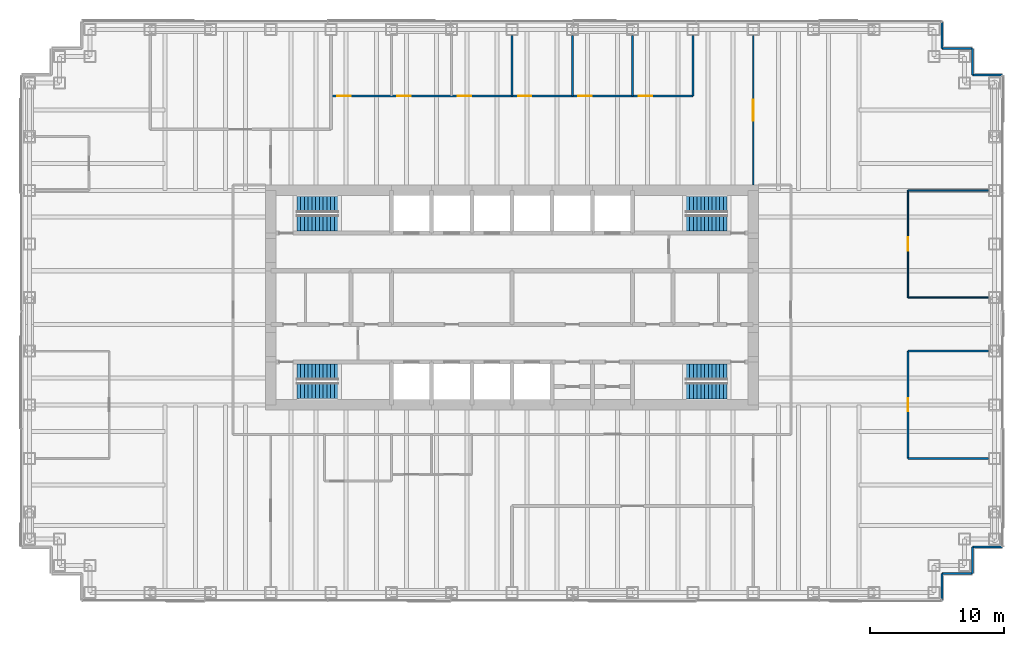
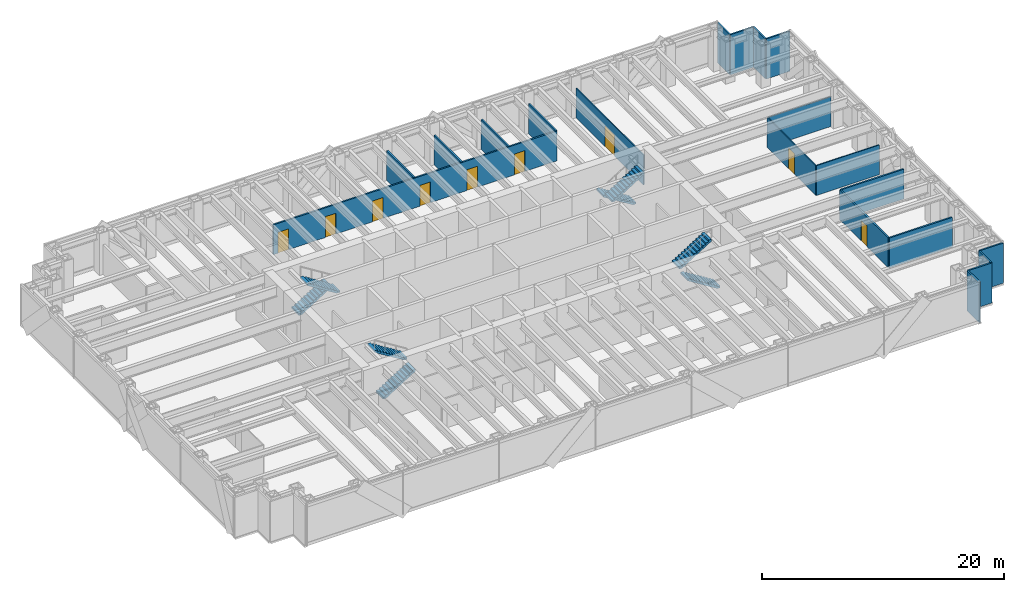
# One storey, part 14 of 15: 20 walls, 9 doors, 8 stair flights, 9 openings, 4 elements without a shape of their own.
"""IFC4 building model written with IfcOpenShell, lengths in metres."""

from ifc_helpers import new_model, si_unit, direction, frame, frame_2d, origin, place, context, subcontext, project, spatial, polyline, rectangle, outline, extrude, material, layer, layer_set, type_object, element, fill, aggregate, save


model = new_model("IFC4")

# Units and contexts
model_context = context("Model", 3, precision=1e-05, world=origin(), true_north=direction((0.0, 1.0)))
body_context = subcontext(model_context, "Body", "Model", "MODEL_VIEW")
ifc_project = project(units=[si_unit("LENGTHUNIT", "METRE"), si_unit("AREAUNIT", "SQUARE_METRE"), si_unit("VOLUMEUNIT", "CUBIC_METRE"), si_unit("PLANEANGLEUNIT", "RADIAN"), si_unit("MASSUNIT", "GRAM", prefix="KILO")], contexts=[model_context])

# Site, building, storey
site_placement = place(None, origin())
site = spatial("IfcSite", under=ifc_project, at=site_placement, CompositionType="ELEMENT")
building_placement = place(site_placement, origin())
building = spatial("IfcBuilding", under=site, at=building_placement, Name="Rheinbord Bourse Tower", CompositionType="ELEMENT")
storey_placement = place(building_placement, frame((0.0, 0.0, 236.199951171875)))
storey = spatial("IfcBuildingStorey", under=building, at=storey_placement, Name="L53", CompositionType="ELEMENT", Elevation=236.199951171875)

# Walls
ifc_material_1 = material(Name="Black metal rainscreen panel", Category="aluminium")
ifc_layer_1 = layer(ifc_material_1, 0.14990234375)
ifc_layer_set_1 = layer_set([ifc_layer_1], Name="CORNER PIER CLADDING 150")
wall_type_1 = type_object("IfcWallType", Name="CORNER PIER CLADDING 150", PredefinedType="ELEMENTEDWALL", material=ifc_layer_set_1)
wall_1_placement = place(storey_placement, frame((68.10009765625, 1.39990234375, 0.0), z_axis=(0.0, 0.0, 1.0), x_axis=(0.0, 1.0, 0.0)))
element("IfcWall", 1, at=wall_1_placement, inside=storey, type_object=wall_type_1, Name="Corner pier cladding L53 2", PredefinedType="ELEMENTEDWALL", context=body_context, shape_type="SweptSolid", body=[
    extrude(rectangle(XDim=2.0, YDim=0.14990234375, at=frame_2d((1.0, 0.0))), origin(), (0.0, 0.0, 1.0), 4.0400390625),
])
wall_2_placement = place(storey_placement, frame((68.10009765625, 3.39990234375, 0.0), z_axis=(0.0, 0.0, 1.0), x_axis=(1.0, 0.0, 0.0)))
element("IfcWall", 2, at=wall_2_placement, inside=storey, type_object=wall_type_1, Name="Corner pier cladding L53 3", PredefinedType="ELEMENTEDWALL", context=body_context, shape_type="SweptSolid", body=[
    extrude(rectangle(XDim=2.25, YDim=0.14990234375, at=frame_2d((1.125, 0.0))), origin(), (0.0, 0.0, 1.0), 4.0400390625),
])
wall_3_placement = place(storey_placement, frame((70.35009765625, 3.39990234375, 0.0), z_axis=(0.0, 0.0, 1.0), x_axis=(0.0, 1.0, 0.0)))
element("IfcWall", 3, at=wall_3_placement, inside=storey, type_object=wall_type_1, Name="Corner pier cladding L53 4", PredefinedType="ELEMENTEDWALL", context=body_context, shape_type="SweptSolid", body=[
    extrude(rectangle(XDim=2.0, YDim=0.14990234375, at=frame_2d((1.0, 0.0))), origin(), (0.0, 0.0, 1.0), 4.0400390625),
])
for number, where, z_axis, x_axis, name in (
    (4, (70.35009765625, 5.39990234375, 0.0), (0.0, 0.0, 1.0), (1.0, 0.0, 0.0), "Corner pier cladding L53 5"),
    (5, (72.60009765625, 40.60009765625, 0.0), (0.0, 0.0, 1.0), (-1.0, 0.0, 0.0), "Corner pier cladding L53 7"),
):
    element("IfcWall", number, at=place(storey_placement, frame(where, z_axis=z_axis, x_axis=x_axis)), inside=storey, type_object=wall_type_1, Name=name, PredefinedType="ELEMENTEDWALL", context=body_context, shape_type="SweptSolid", body=[
        extrude(rectangle(XDim=2.25, YDim=0.14990234375, at=frame_2d((1.125, 0.0))), origin(), (0.0, 0.0, 1.0), 4.0400390625),
    ])
wall_4_placement = place(storey_placement, frame((70.35009765625, 40.60009765625, 0.0), z_axis=(0.0, 0.0, 1.0), x_axis=(0.0, 1.0, 0.0)))
element("IfcWall", 6, at=wall_4_placement, inside=storey, type_object=wall_type_1, Name="Corner pier cladding L53 8", PredefinedType="ELEMENTEDWALL", context=body_context, shape_type="SweptSolid", body=[
    extrude(rectangle(XDim=2.0, YDim=0.14990234375, at=frame_2d((1.0, 0.0))), origin(), (0.0, 0.0, 1.0), 4.0400390625),
])
wall_5_placement = place(storey_placement, frame((70.35009765625, 42.60009765625, 0.0), z_axis=(0.0, 0.0, 1.0), x_axis=(-1.0, 0.0, 0.0)))
element("IfcWall", 7, at=wall_5_placement, inside=storey, type_object=wall_type_1, Name="Corner pier cladding L53 9", PredefinedType="ELEMENTEDWALL", context=body_context, shape_type="SweptSolid", body=[
    extrude(rectangle(XDim=2.25, YDim=0.14990234375, at=frame_2d((1.125, 0.0))), origin(), (0.0, 0.0, 1.0), 4.0400390625),
])
wall_6_placement = place(storey_placement, frame((68.10009765625, 42.60009765625, 0.0), z_axis=(0.0, 0.0, 1.0), x_axis=(0.0, 1.0, 0.0)))
element("IfcWall", 8, at=wall_6_placement, inside=storey, type_object=wall_type_1, Name="Corner pier cladding L53 10", PredefinedType="ELEMENTEDWALL", context=body_context, shape_type="SweptSolid", body=[
    extrude(rectangle(XDim=2.0, YDim=0.14990234375, at=frame_2d((1.0, 0.0))), origin(), (0.0, 0.0, 1.0), 4.0400390625),
])
ifc_material_2 = material(Name="Toughened laminated glass partition", Category="glass")
ifc_layer_2 = layer(ifc_material_2, 0.10009765625)
ifc_layer_set_2 = layer_set([ifc_layer_2], Name="GLAZED PARTITION 100")
wall_type_2 = type_object("IfcWallType", Name="GLAZED PARTITION 100", PredefinedType="PARTITIONING", material=ifc_layer_set_2)
for number, where, z_axis, x_axis, name in (
    (9, (65.550048828125, 24.0, 0.0), (0.0, 0.0, 1.0), (1.0, 0.0, 0.0), "Partition L53-11"),
    (10, (65.550048828125, 32.0, 0.0), (0.0, 0.0, 1.0), (1.0, 0.0, 0.0), "Partition L53-13"),
):
    element("IfcWall", number, at=place(storey_placement, frame(where, z_axis=z_axis, x_axis=x_axis)), inside=storey, type_object=wall_type_2, Name=name, PredefinedType="PARTITIONING", context=body_context, shape_type="SweptSolid", body=[
        extrude(rectangle(XDim=6.0, YDim=0.10009765625, at=frame_2d((3.0, 0.0))), origin(), (0.0, 0.0, 1.0), 3.0),
    ])

# Wall, opening, door
wall_7_placement = place(storey_placement, frame((54.0, 32.39990234375, 0.0), z_axis=(0.0, 0.0, 1.0), x_axis=(0.0, 1.0, 0.0)))
wall_7 = element("IfcWall", 11, at=wall_7_placement, inside=storey, type_object=wall_type_2, Name="Partition L53-39", PredefinedType="PARTITIONING", context=body_context, shape_type="SweptSolid", body=[
    extrude(rectangle(XDim=11.150146484375, YDim=0.10009765625, at=frame_2d((5.5751953125, 0.0))), origin(), (0.0, 0.0, 1.0), 3.0),
])
opening_1_placement = place(wall_7_placement, frame((4.77490234375, 0.0, 0.0)))
opening_1 = element("IfcOpeningElement", 12, at=opening_1_placement, cuts=wall_7, Name="Opening 53D19", PredefinedType="OPENING", context=body_context, shape_type="SweptSolid", body=[
    extrude(rectangle(XDim=1.60009765625, YDim=2.10009765625, at=frame_2d((0.800048828125, 1.050048828125))), frame((0.0, 0.06005859375, 0.0), z_axis=(0.0, -1.0, 0.0), x_axis=(1.0, 0.0, 0.0)), (0.0, 0.0, 1.0), 0.1201171875),
])
ifc_material_3 = material(Name="Timber door", Category="wood")
door_type_1 = type_object("IfcDoorType", Name="DOUBLE ROOM DOOR 1600", OperationType="DOUBLE_DOOR_DOUBLE_SWING", PredefinedType="DOOR", material=ifc_material_3)
door_1_placement = place(opening_1_placement, origin())
door_1 = element("IfcDoor", 13, at=door_1_placement, inside=storey, type_object=door_type_1, Name="Open area door L53", OperationType="SINGLE_SWING_LEFT", OverallHeight=2.10009765625, OverallWidth=1.60009765625, PredefinedType="DOOR", context=body_context, shape_type="SweptSolid", body=[
    extrude(rectangle(XDim=1.60009765625, YDim=2.10009765625, at=frame_2d((0.800048828125, 1.050048828125))), frame((0.0, 0.02490234375, 0.0), z_axis=(0.0, -1.0, 0.0), x_axis=(1.0, 0.0, 0.0)), (0.0, 0.0, 1.0), 0.050048828125),
])
fill(opening_1, door_1)

wall_8_placement = place(storey_placement, frame((65.550048828125, 24.0, 0.0), z_axis=(0.0, 0.0, 1.0), x_axis=(0.0, 1.0, 0.0)))
wall_8 = element("IfcWall", 14, at=wall_8_placement, inside=storey, type_object=wall_type_2, Name="Partition L53-42", PredefinedType="PARTITIONING", context=body_context, shape_type="SweptSolid", body=[
    extrude(rectangle(XDim=8.0, YDim=0.10009765625, at=frame_2d((4.0, 0.0))), origin(), (0.0, 0.0, 1.0), 3.0),
])
opening_2_placement = place(wall_8_placement, frame((3.5, 0.0, 0.0)))
opening_2 = element("IfcOpeningElement", 15, at=opening_2_placement, cuts=wall_8, Name="Opening 53D07", PredefinedType="OPENING", context=body_context, shape_type="SweptSolid", body=[
    extrude(rectangle(XDim=1.0, YDim=2.10009765625, at=frame_2d((0.5, 1.050048828125))), frame((0.0, 0.06005859375, 0.0), z_axis=(0.0, -1.0, 0.0), x_axis=(1.0, 0.0, 0.0)), (0.0, 0.0, 1.0), 0.1201171875),
])
ifc_material_4 = material(Name="Timber door", Category="wood")
door_type_2 = type_object("IfcDoorType", Name="ROOM DOOR 1000", OperationType="SINGLE_SWING_LEFT", PredefinedType="DOOR", material=ifc_material_4)
door_2_placement = place(opening_2_placement, origin())
door_2 = element("IfcDoor", 16, at=door_2_placement, inside=storey, type_object=door_type_2, Name="Meeting room door L53", OperationType="SINGLE_SWING_LEFT", OverallHeight=2.10009765625, OverallWidth=1.0, PredefinedType="DOOR", context=body_context, shape_type="SweptSolid", body=[
    extrude(rectangle(XDim=1.0, YDim=2.10009765625, at=frame_2d((0.5, 1.050048828125))), frame((0.0, 0.02490234375, 0.0), z_axis=(0.0, -1.0, 0.0), x_axis=(1.0, 0.0, 0.0)), (0.0, 0.0, 1.0), 0.050048828125),
])
fill(opening_2, door_2)

# Walls
ifc_material_5 = material(Name="Gypsum board partition", Category="gypsum board")
ifc_layer_3 = layer(ifc_material_5, 0.14990234375)
ifc_layer_set_3 = layer_set([ifc_layer_3], Name="PARTITION 150")
wall_type_3 = type_object("IfcWallType", Name="PARTITION 150", PredefinedType="PARTITIONING", material=ifc_layer_set_3)
for number, where, z_axis, x_axis, name in (
    (17, (65.550048828125, 12.0, 0.0), (0.0, 0.0, 1.0), (1.0, 0.0, 0.0), "Partition L53-05"),
    (18, (65.550048828125, 20.0, 0.0), (0.0, 0.0, 1.0), (1.0, 0.0, 0.0), "Partition L53-10"),
):
    element("IfcWall", number, at=place(storey_placement, frame(where, z_axis=z_axis, x_axis=x_axis)), inside=storey, type_object=wall_type_3, Name=name, PredefinedType="PARTITIONING", context=body_context, shape_type="SweptSolid", body=[
        extrude(rectangle(XDim=6.0, YDim=0.14990234375, at=frame_2d((3.0, 0.0))), origin(), (0.0, 0.0, 1.0), 3.0),
    ])

# Wall, openings, doors
wall_9_placement = place(storey_placement, frame((22.5, 39.050048828125, 0.0), z_axis=(0.0, 0.0, 1.0), x_axis=(1.0, 0.0, 0.0)))
wall_9 = element("IfcWall", 19, at=wall_9_placement, inside=storey, type_object=wall_type_3, Name="Partition L53-18", PredefinedType="PARTITIONING", context=body_context, shape_type="SweptSolid", body=[
    extrude(rectangle(XDim=27.0, YDim=0.14990234375, at=frame_2d((13.5, 0.0))), origin(), (0.0, 0.0, 1.0), 3.0),
])
opening_3_placement = place(wall_9_placement, frame((0.449951171875, 0.0, 0.0)))
opening_3 = element("IfcOpeningElement", 20, at=opening_3_placement, cuts=wall_9, Name="Opening 53D10", PredefinedType="OPENING", context=body_context, shape_type="SweptSolid", body=[
    extrude(rectangle(XDim=1.0, YDim=2.10009765625, at=frame_2d((0.5, 1.050048828125))), frame((0.0, 0.0849609375, 0.0), z_axis=(0.0, -1.0, 0.0), x_axis=(1.0, 0.0, 0.0)), (0.0, 0.0, 1.0), 0.169921875),
])
opening_4_placement = place(wall_9_placement, frame((4.949951171875, 0.0, 0.0)))
opening_4 = element("IfcOpeningElement", 21, at=opening_4_placement, cuts=wall_9, Name="Opening 53D11", PredefinedType="OPENING", context=body_context, shape_type="SweptSolid", body=[
    extrude(rectangle(XDim=1.0, YDim=2.10009765625, at=frame_2d((0.5, 1.050048828125))), frame((0.0, 0.0849609375, 0.0), z_axis=(0.0, -1.0, 0.0), x_axis=(1.0, 0.0, 0.0)), (0.0, 0.0, 1.0), 0.169921875),
])
opening_5_placement = place(wall_9_placement, frame((9.449951171875, 0.0, 0.0)))
opening_5 = element("IfcOpeningElement", 22, at=opening_5_placement, cuts=wall_9, Name="Opening 53D12", PredefinedType="OPENING", context=body_context, shape_type="SweptSolid", body=[
    extrude(rectangle(XDim=1.0, YDim=2.10009765625, at=frame_2d((0.5, 1.050048828125))), frame((0.0, 0.0849609375, 0.0), z_axis=(0.0, -1.0, 0.0), x_axis=(1.0, 0.0, 0.0)), (0.0, 0.0, 1.0), 0.169921875),
])
opening_6_placement = place(wall_9_placement, frame((13.949951171875, 0.0, 0.0)))
opening_6 = element("IfcOpeningElement", 23, at=opening_6_placement, cuts=wall_9, Name="Opening 53D13", PredefinedType="OPENING", context=body_context, shape_type="SweptSolid", body=[
    extrude(rectangle(XDim=1.0, YDim=2.10009765625, at=frame_2d((0.5, 1.050048828125))), frame((0.0, 0.0849609375, 0.0), z_axis=(0.0, -1.0, 0.0), x_axis=(1.0, 0.0, 0.0)), (0.0, 0.0, 1.0), 0.169921875),
])
opening_7_placement = place(wall_9_placement, frame((18.449951171875, 0.0, 0.0)))
opening_7 = element("IfcOpeningElement", 24, at=opening_7_placement, cuts=wall_9, Name="Opening 53D14", PredefinedType="OPENING", context=body_context, shape_type="SweptSolid", body=[
    extrude(rectangle(XDim=1.0, YDim=2.10009765625, at=frame_2d((0.5, 1.050048828125))), frame((0.0, 0.0849609375, 0.0), z_axis=(0.0, -1.0, 0.0), x_axis=(1.0, 0.0, 0.0)), (0.0, 0.0, 1.0), 0.169921875),
])
opening_8_placement = place(wall_9_placement, frame((22.949951171875, 0.0, 0.0)))
opening_8 = element("IfcOpeningElement", 25, at=opening_8_placement, cuts=wall_9, Name="Opening 53D15", PredefinedType="OPENING", context=body_context, shape_type="SweptSolid", body=[
    extrude(rectangle(XDim=1.0, YDim=2.10009765625, at=frame_2d((0.5, 1.050048828125))), frame((0.0, 0.0849609375, 0.0), z_axis=(0.0, -1.0, 0.0), x_axis=(1.0, 0.0, 0.0)), (0.0, 0.0, 1.0), 0.169921875),
])
door_3_placement = place(opening_3_placement, origin())
door_3 = element("IfcDoor", 26, at=door_3_placement, inside=storey, type_object=door_type_2, Name="Office door L53", OperationType="SINGLE_SWING_LEFT", OverallHeight=2.10009765625, OverallWidth=1.0, PredefinedType="DOOR", context=body_context, shape_type="SweptSolid", body=[
    extrude(rectangle(XDim=1.0, YDim=2.10009765625, at=frame_2d((0.5, 1.050048828125))), frame((0.0, 0.02490234375, 0.0), z_axis=(0.0, -1.0, 0.0), x_axis=(1.0, 0.0, 0.0)), (0.0, 0.0, 1.0), 0.050048828125),
])
fill(opening_3, door_3)
door_4_placement = place(opening_4_placement, origin())
door_4 = element("IfcDoor", 27, at=door_4_placement, inside=storey, type_object=door_type_2, Name="Office door L53", OperationType="SINGLE_SWING_LEFT", OverallHeight=2.10009765625, OverallWidth=1.0, PredefinedType="DOOR", context=body_context, shape_type="SweptSolid", body=[
    extrude(rectangle(XDim=1.0, YDim=2.10009765625, at=frame_2d((0.5, 1.050048828125))), frame((0.0, 0.02490234375, 0.0), z_axis=(0.0, -1.0, 0.0), x_axis=(1.0, 0.0, 0.0)), (0.0, 0.0, 1.0), 0.050048828125),
])
fill(opening_4, door_4)
door_5_placement = place(opening_5_placement, origin())
door_5 = element("IfcDoor", 28, at=door_5_placement, inside=storey, type_object=door_type_2, Name="Office door L53", OperationType="SINGLE_SWING_LEFT", OverallHeight=2.10009765625, OverallWidth=1.0, PredefinedType="DOOR", context=body_context, shape_type="SweptSolid", body=[
    extrude(rectangle(XDim=1.0, YDim=2.10009765625, at=frame_2d((0.5, 1.050048828125))), frame((0.0, 0.02490234375, 0.0), z_axis=(0.0, -1.0, 0.0), x_axis=(1.0, 0.0, 0.0)), (0.0, 0.0, 1.0), 0.050048828125),
])
fill(opening_5, door_5)
door_6_placement = place(opening_6_placement, origin())
door_6 = element("IfcDoor", 29, at=door_6_placement, inside=storey, type_object=door_type_2, Name="Office door L53", OperationType="SINGLE_SWING_RIGHT", OverallHeight=2.10009765625, OverallWidth=1.0, PredefinedType="DOOR", context=body_context, shape_type="SweptSolid", body=[
    extrude(rectangle(XDim=1.0, YDim=2.10009765625, at=frame_2d((0.5, 1.050048828125))), frame((0.0, 0.02490234375, 0.0), z_axis=(0.0, -1.0, 0.0), x_axis=(1.0, 0.0, 0.0)), (0.0, 0.0, 1.0), 0.050048828125),
])
fill(opening_6, door_6)
door_7_placement = place(opening_7_placement, origin())
door_7 = element("IfcDoor", 30, at=door_7_placement, inside=storey, type_object=door_type_2, Name="Office door L53", OperationType="SINGLE_SWING_RIGHT", OverallHeight=2.10009765625, OverallWidth=1.0, PredefinedType="DOOR", context=body_context, shape_type="SweptSolid", body=[
    extrude(rectangle(XDim=1.0, YDim=2.10009765625, at=frame_2d((0.5, 1.050048828125))), frame((0.0, 0.02490234375, 0.0), z_axis=(0.0, -1.0, 0.0), x_axis=(1.0, 0.0, 0.0)), (0.0, 0.0, 1.0), 0.050048828125),
])
fill(opening_7, door_7)
door_8_placement = place(opening_8_placement, origin())
door_8 = element("IfcDoor", 31, at=door_8_placement, inside=storey, type_object=door_type_2, Name="Office door L53", OperationType="SINGLE_SWING_RIGHT", OverallHeight=2.10009765625, OverallWidth=1.0, PredefinedType="DOOR", context=body_context, shape_type="SweptSolid", body=[
    extrude(rectangle(XDim=1.0, YDim=2.10009765625, at=frame_2d((0.5, 1.050048828125))), frame((0.0, 0.02490234375, 0.0), z_axis=(0.0, -1.0, 0.0), x_axis=(1.0, 0.0, 0.0)), (0.0, 0.0, 1.0), 0.050048828125),
])
fill(opening_8, door_8)

# Walls
for number, where, z_axis, x_axis, name in (
    (32, (36.0, 39.050048828125, 0.0), (0.0, 0.0, 1.0), (0.0, 1.0, 0.0), "Partition L53-33"),
    (33, (40.5, 39.050048828125, 0.0), (0.0, 0.0, 1.0), (0.0, 1.0, 0.0), "Partition L53-34"),
    (34, (45.0, 39.050048828125, 0.0), (0.0, 0.0, 1.0), (0.0, 1.0, 0.0), "Partition L53-35"),
    (35, (49.5, 39.050048828125, 0.0), (0.0, 0.0, 1.0), (0.0, 1.0, 0.0), "Partition L53-36"),
):
    element("IfcWall", number, at=place(storey_placement, frame(where, z_axis=z_axis, x_axis=x_axis)), inside=storey, type_object=wall_type_3, Name=name, PredefinedType="PARTITIONING", context=body_context, shape_type="SweptSolid", body=[
        extrude(rectangle(XDim=4.5, YDim=0.14990234375, at=frame_2d((2.25, 0.0))), origin(), (0.0, 0.0, 1.0), 3.0),
    ])

# Wall, opening, door
wall_10_placement = place(storey_placement, frame((65.550048828125, 12.0, 0.0), z_axis=(0.0, 0.0, 1.0), x_axis=(0.0, 1.0, 0.0)))
wall_10 = element("IfcWall", 36, at=wall_10_placement, inside=storey, type_object=wall_type_3, Name="Partition L53-41", PredefinedType="PARTITIONING", context=body_context, shape_type="SweptSolid", body=[
    extrude(rectangle(XDim=8.0, YDim=0.14990234375, at=frame_2d((4.0, 0.0))), origin(), (0.0, 0.0, 1.0), 3.0),
])
opening_9_placement = place(wall_10_placement, frame((3.5, 0.0, 0.0)))
opening_9 = element("IfcOpeningElement", 37, at=opening_9_placement, cuts=wall_10, Name="Opening 53D05", PredefinedType="OPENING", context=body_context, shape_type="SweptSolid", body=[
    extrude(rectangle(XDim=1.0, YDim=2.10009765625, at=frame_2d((0.5, 1.050048828125))), frame((0.0, 0.0849609375, 0.0), z_axis=(0.0, -1.0, 0.0), x_axis=(1.0, 0.0, 0.0)), (0.0, 0.0, 1.0), 0.169921875),
])
door_9_placement = place(opening_9_placement, origin())
door_9 = element("IfcDoor", 38, at=door_9_placement, inside=storey, type_object=door_type_2, Name="Pantry door L53", OperationType="SINGLE_SWING_LEFT", OverallHeight=2.10009765625, OverallWidth=1.0, PredefinedType="DOOR", context=body_context, shape_type="SweptSolid", body=[
    extrude(rectangle(XDim=1.0, YDim=2.10009765625, at=frame_2d((0.5, 1.050048828125))), frame((0.0, 0.02490234375, 0.0), z_axis=(0.0, -1.0, 0.0), x_axis=(1.0, 0.0, 0.0)), (0.0, 0.0, 1.0), 0.050048828125),
])
fill(opening_9, door_9)

# Stair, stair flights
ifc_material_6 = material(Name="Concrete C30/37", Category="concrete")
stair_type = type_object("IfcStairType", Name="CORE STAIR HALF TURN 4200", PredefinedType="HALF_TURN_STAIR", material=ifc_material_6)
stair_1_placement = place(storey_placement, origin())
stair_1 = element("IfcStair", 39, at=stair_1_placement, inside=storey, type_object=stair_type, Name="Stair ST1 L53, type CS6", PredefinedType="HALF_TURN_STAIR")
ifc_material_7 = material(Name="Concrete C30/37", Category="concrete")
stair_flight_type = type_object("IfcStairFlightType", Name="CORE STAIR FLIGHT 1200, 12 RISERS", PredefinedType="STRAIGHT", material=ifc_material_7)
stair_flight_1_placement = place(storey_placement, frame((19.949951171875, 17.050048828125, 0.0), z_axis=(0.0, 0.0, 1.0), x_axis=(1.0, 0.0, 0.0)))
stair_flight_1 = element("IfcStairFlight", 40, at=stair_flight_1_placement, type_object=stair_flight_type, Name="STAIR L53 ST1 F1", NumberOfRisers=12, NumberOfTreads=11, PredefinedType="STRAIGHT", RiserHeight=0.175, TreadLength=0.28, context=body_context, shape_type="SweptSolid", body=[
    extrude(outline(polyline([(0.0, 0.0), (0.0, 0.175048828125), (0.280029296875, 0.175048828125), (0.280029296875, 0.35009765625), (0.56005859375, 0.35009765625), (0.56005859375, 0.52490234375), (0.840087890625, 0.52490234375), (0.840087890625, 0.699951171875), (1.1201171875, 0.699951171875), (1.1201171875, 0.875), (1.39990234375, 0.875), (1.39990234375, 1.050048828125), (1.679931640625, 1.050048828125), (1.679931640625, 1.22509765625), (1.9599609375, 1.22509765625), (1.9599609375, 1.39990234375), (2.239990234375, 1.39990234375), (2.239990234375, 1.574951171875), (2.52001953125, 1.574951171875), (2.52001953125, 1.75), (2.800048828125, 1.75), (2.800048828125, 1.925048828125), (3.080078125, 1.925048828125), (3.080078125, 2.10009765625), (3.080078125, 1.748291015625), (0.28271484375, 0.0), (0.0, 0.0)])), frame((0.0, 0.60009765625, 0.0), z_axis=(0.0, -1.0, 0.0), x_axis=(1.0, 0.0, 0.0)), (0.0, 0.0, 1.0), 1.199951171875),
])
stair_flight_2_placement = place(storey_placement, frame((23.030029296875, 18.449951171875, 2.10009765625), z_axis=(0.0, 0.0, 1.0), x_axis=(-1.0, 0.0, 0.0)))
stair_flight_2 = element("IfcStairFlight", 41, at=stair_flight_2_placement, type_object=stair_flight_type, Name="STAIR L53 ST1 F2", NumberOfRisers=12, NumberOfTreads=11, PredefinedType="STRAIGHT", RiserHeight=0.175, TreadLength=0.28, context=body_context, shape_type="SweptSolid", body=[
    extrude(outline(polyline([(0.0, 0.0), (0.0, 0.175048828125), (0.280029296875, 0.175048828125), (0.280029296875, 0.35009765625), (0.56005859375, 0.35009765625), (0.56005859375, 0.52490234375), (0.840087890625, 0.52490234375), (0.840087890625, 0.699951171875), (1.1201171875, 0.699951171875), (1.1201171875, 0.875), (1.39990234375, 0.875), (1.39990234375, 1.050048828125), (1.679931640625, 1.050048828125), (1.679931640625, 1.22509765625), (1.9599609375, 1.22509765625), (1.9599609375, 1.39990234375), (2.239990234375, 1.39990234375), (2.239990234375, 1.574951171875), (2.52001953125, 1.574951171875), (2.52001953125, 1.75), (2.800048828125, 1.75), (2.800048828125, 1.925048828125), (3.080078125, 1.925048828125), (3.080078125, 2.10009765625), (3.080078125, 1.748291015625), (0.28271484375, 0.0), (0.0, 0.0)])), frame((0.0, 0.60009765625, 0.0), z_axis=(0.0, -1.0, 0.0), x_axis=(1.0, 0.0, 0.0)), (0.0, 0.0, 1.0), 1.199951171875),
])
aggregate(stair_1, [stair_flight_1, stair_flight_2])

stair_2_placement = place(storey_placement, origin())
stair_2 = element("IfcStair", 42, at=stair_2_placement, inside=storey, type_object=stair_type, Name="Stair ST2 L53, type CS6", PredefinedType="HALF_TURN_STAIR")
stair_flight_3_placement = place(storey_placement, frame((19.949951171875, 30.949951171875, 0.0), z_axis=(0.0, 0.0, 1.0), x_axis=(1.0, 0.0, 0.0)))
stair_flight_3 = element("IfcStairFlight", 43, at=stair_flight_3_placement, type_object=stair_flight_type, Name="STAIR L53 ST2 F1", NumberOfRisers=12, NumberOfTreads=11, PredefinedType="STRAIGHT", RiserHeight=0.175, TreadLength=0.28, context=body_context, shape_type="SweptSolid", body=[
    extrude(outline(polyline([(0.0, 0.0), (0.0, 0.175048828125), (0.280029296875, 0.175048828125), (0.280029296875, 0.35009765625), (0.56005859375, 0.35009765625), (0.56005859375, 0.52490234375), (0.840087890625, 0.52490234375), (0.840087890625, 0.699951171875), (1.1201171875, 0.699951171875), (1.1201171875, 0.875), (1.39990234375, 0.875), (1.39990234375, 1.050048828125), (1.679931640625, 1.050048828125), (1.679931640625, 1.22509765625), (1.9599609375, 1.22509765625), (1.9599609375, 1.39990234375), (2.239990234375, 1.39990234375), (2.239990234375, 1.574951171875), (2.52001953125, 1.574951171875), (2.52001953125, 1.75), (2.800048828125, 1.75), (2.800048828125, 1.925048828125), (3.080078125, 1.925048828125), (3.080078125, 2.10009765625), (3.080078125, 1.748291015625), (0.28271484375, 0.0), (0.0, 0.0)])), frame((0.0, 0.60009765625, 0.0), z_axis=(0.0, -1.0, 0.0), x_axis=(1.0, 0.0, 0.0)), (0.0, 0.0, 1.0), 1.199951171875),
])
stair_flight_4_placement = place(storey_placement, frame((23.030029296875, 29.550048828125, 2.10009765625), z_axis=(0.0, 0.0, 1.0), x_axis=(-1.0, 0.0, 0.0)))
stair_flight_4 = element("IfcStairFlight", 44, at=stair_flight_4_placement, type_object=stair_flight_type, Name="STAIR L53 ST2 F2", NumberOfRisers=12, NumberOfTreads=11, PredefinedType="STRAIGHT", RiserHeight=0.175, TreadLength=0.28, context=body_context, shape_type="SweptSolid", body=[
    extrude(outline(polyline([(0.0, 0.0), (0.0, 0.175048828125), (0.280029296875, 0.175048828125), (0.280029296875, 0.35009765625), (0.56005859375, 0.35009765625), (0.56005859375, 0.52490234375), (0.840087890625, 0.52490234375), (0.840087890625, 0.699951171875), (1.1201171875, 0.699951171875), (1.1201171875, 0.875), (1.39990234375, 0.875), (1.39990234375, 1.050048828125), (1.679931640625, 1.050048828125), (1.679931640625, 1.22509765625), (1.9599609375, 1.22509765625), (1.9599609375, 1.39990234375), (2.239990234375, 1.39990234375), (2.239990234375, 1.574951171875), (2.52001953125, 1.574951171875), (2.52001953125, 1.75), (2.800048828125, 1.75), (2.800048828125, 1.925048828125), (3.080078125, 1.925048828125), (3.080078125, 2.10009765625), (3.080078125, 1.748291015625), (0.28271484375, 0.0), (0.0, 0.0)])), frame((0.0, 0.60009765625, 0.0), z_axis=(0.0, -1.0, 0.0), x_axis=(1.0, 0.0, 0.0)), (0.0, 0.0, 1.0), 1.199951171875),
])
aggregate(stair_2, [stair_flight_3, stair_flight_4])

stair_3_placement = place(storey_placement, origin())
stair_3 = element("IfcStair", 45, at=stair_3_placement, inside=storey, type_object=stair_type, Name="Stair ST3 L53, type CS6", PredefinedType="HALF_TURN_STAIR")
stair_flight_5_placement = place(storey_placement, frame((52.050048828125, 17.050048828125, 0.0), z_axis=(0.0, 0.0, 1.0), x_axis=(-1.0, 0.0, 0.0)))
stair_flight_5 = element("IfcStairFlight", 46, at=stair_flight_5_placement, type_object=stair_flight_type, Name="STAIR L53 ST3 F1", NumberOfRisers=12, NumberOfTreads=11, PredefinedType="STRAIGHT", RiserHeight=0.175, TreadLength=0.28, context=body_context, shape_type="SweptSolid", body=[
    extrude(outline(polyline([(0.0, 0.0), (0.0, 0.175048828125), (0.280029296875, 0.175048828125), (0.280029296875, 0.35009765625), (0.56005859375, 0.35009765625), (0.56005859375, 0.52490234375), (0.840087890625, 0.52490234375), (0.840087890625, 0.699951171875), (1.1201171875, 0.699951171875), (1.1201171875, 0.875), (1.39990234375, 0.875), (1.39990234375, 1.050048828125), (1.679931640625, 1.050048828125), (1.679931640625, 1.22509765625), (1.9599609375, 1.22509765625), (1.9599609375, 1.39990234375), (2.239990234375, 1.39990234375), (2.239990234375, 1.574951171875), (2.52001953125, 1.574951171875), (2.52001953125, 1.75), (2.800048828125, 1.75), (2.800048828125, 1.925048828125), (3.080078125, 1.925048828125), (3.080078125, 2.10009765625), (3.080078125, 1.748291015625), (0.28271484375, 0.0), (0.0, 0.0)])), frame((0.0, 0.60009765625, 0.0), z_axis=(0.0, -1.0, 0.0), x_axis=(1.0, 0.0, 0.0)), (0.0, 0.0, 1.0), 1.199951171875),
])
stair_flight_6_placement = place(storey_placement, frame((48.969970703125, 18.449951171875, 2.10009765625), z_axis=(0.0, 0.0, 1.0), x_axis=(1.0, 0.0, 0.0)))
stair_flight_6 = element("IfcStairFlight", 47, at=stair_flight_6_placement, type_object=stair_flight_type, Name="STAIR L53 ST3 F2", NumberOfRisers=12, NumberOfTreads=11, PredefinedType="STRAIGHT", RiserHeight=0.175, TreadLength=0.28, context=body_context, shape_type="SweptSolid", body=[
    extrude(outline(polyline([(0.0, 0.0), (0.0, 0.175048828125), (0.280029296875, 0.175048828125), (0.280029296875, 0.35009765625), (0.56005859375, 0.35009765625), (0.56005859375, 0.52490234375), (0.840087890625, 0.52490234375), (0.840087890625, 0.699951171875), (1.1201171875, 0.699951171875), (1.1201171875, 0.875), (1.39990234375, 0.875), (1.39990234375, 1.050048828125), (1.679931640625, 1.050048828125), (1.679931640625, 1.22509765625), (1.9599609375, 1.22509765625), (1.9599609375, 1.39990234375), (2.239990234375, 1.39990234375), (2.239990234375, 1.574951171875), (2.52001953125, 1.574951171875), (2.52001953125, 1.75), (2.800048828125, 1.75), (2.800048828125, 1.925048828125), (3.080078125, 1.925048828125), (3.080078125, 2.10009765625), (3.080078125, 1.748291015625), (0.28271484375, 0.0), (0.0, 0.0)])), frame((0.0, 0.60009765625, 0.0), z_axis=(0.0, -1.0, 0.0), x_axis=(1.0, 0.0, 0.0)), (0.0, 0.0, 1.0), 1.199951171875),
])
aggregate(stair_3, [stair_flight_5, stair_flight_6])

stair_4_placement = place(storey_placement, origin())
stair_4 = element("IfcStair", 48, at=stair_4_placement, inside=storey, type_object=stair_type, Name="Stair ST4 L53, type CS6", PredefinedType="HALF_TURN_STAIR")
stair_flight_7_placement = place(storey_placement, frame((52.050048828125, 30.949951171875, 0.0), z_axis=(0.0, 0.0, 1.0), x_axis=(-1.0, 0.0, 0.0)))
stair_flight_7 = element("IfcStairFlight", 49, at=stair_flight_7_placement, type_object=stair_flight_type, Name="STAIR L53 ST4 F1", NumberOfRisers=12, NumberOfTreads=11, PredefinedType="STRAIGHT", RiserHeight=0.175, TreadLength=0.28, context=body_context, shape_type="SweptSolid", body=[
    extrude(outline(polyline([(0.0, 0.0), (0.0, 0.175048828125), (0.280029296875, 0.175048828125), (0.280029296875, 0.35009765625), (0.56005859375, 0.35009765625), (0.56005859375, 0.52490234375), (0.840087890625, 0.52490234375), (0.840087890625, 0.699951171875), (1.1201171875, 0.699951171875), (1.1201171875, 0.875), (1.39990234375, 0.875), (1.39990234375, 1.050048828125), (1.679931640625, 1.050048828125), (1.679931640625, 1.22509765625), (1.9599609375, 1.22509765625), (1.9599609375, 1.39990234375), (2.239990234375, 1.39990234375), (2.239990234375, 1.574951171875), (2.52001953125, 1.574951171875), (2.52001953125, 1.75), (2.800048828125, 1.75), (2.800048828125, 1.925048828125), (3.080078125, 1.925048828125), (3.080078125, 2.10009765625), (3.080078125, 1.748291015625), (0.28271484375, 0.0), (0.0, 0.0)])), frame((0.0, 0.60009765625, 0.0), z_axis=(0.0, -1.0, 0.0), x_axis=(1.0, 0.0, 0.0)), (0.0, 0.0, 1.0), 1.199951171875),
])
stair_flight_8_placement = place(storey_placement, frame((48.969970703125, 29.550048828125, 2.10009765625), z_axis=(0.0, 0.0, 1.0), x_axis=(1.0, 0.0, 0.0)))
stair_flight_8 = element("IfcStairFlight", 50, at=stair_flight_8_placement, type_object=stair_flight_type, Name="STAIR L53 ST4 F2", NumberOfRisers=12, NumberOfTreads=11, PredefinedType="STRAIGHT", RiserHeight=0.175, TreadLength=0.28, context=body_context, shape_type="SweptSolid", body=[
    extrude(outline(polyline([(0.0, 0.0), (0.0, 0.175048828125), (0.280029296875, 0.175048828125), (0.280029296875, 0.35009765625), (0.56005859375, 0.35009765625), (0.56005859375, 0.52490234375), (0.840087890625, 0.52490234375), (0.840087890625, 0.699951171875), (1.1201171875, 0.699951171875), (1.1201171875, 0.875), (1.39990234375, 0.875), (1.39990234375, 1.050048828125), (1.679931640625, 1.050048828125), (1.679931640625, 1.22509765625), (1.9599609375, 1.22509765625), (1.9599609375, 1.39990234375), (2.239990234375, 1.39990234375), (2.239990234375, 1.574951171875), (2.52001953125, 1.574951171875), (2.52001953125, 1.75), (2.800048828125, 1.75), (2.800048828125, 1.925048828125), (3.080078125, 1.925048828125), (3.080078125, 2.10009765625), (3.080078125, 1.748291015625), (0.28271484375, 0.0), (0.0, 0.0)])), frame((0.0, 0.60009765625, 0.0), z_axis=(0.0, -1.0, 0.0), x_axis=(1.0, 0.0, 0.0)), (0.0, 0.0, 1.0), 1.199951171875),
])
aggregate(stair_4, [stair_flight_7, stair_flight_8])

save(model, "model.ifc")
